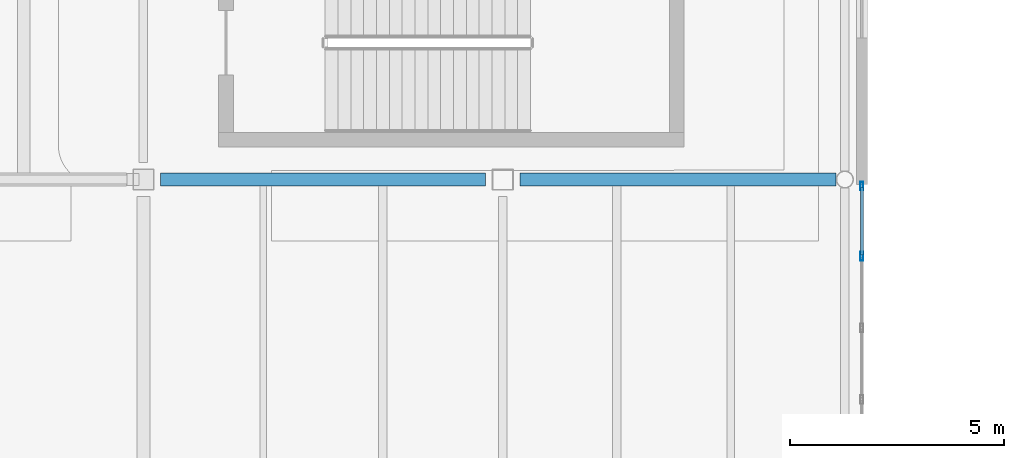
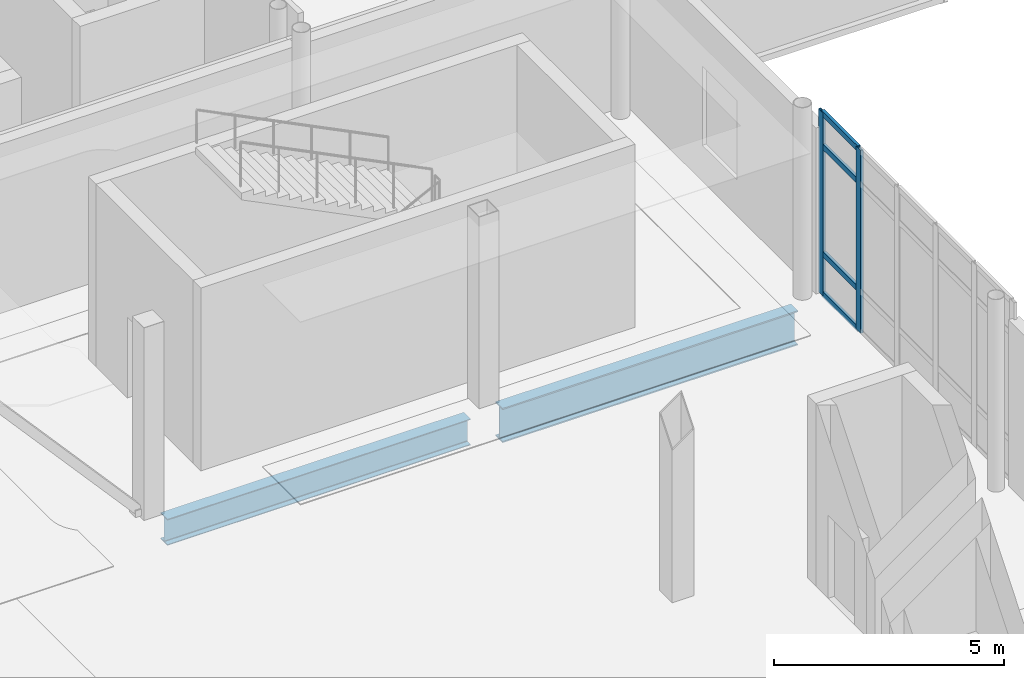
# One storey, part 46 of 104: 6 members, 2 beams, 1 element without a shape of its own.
"""IFC4 building model written with IfcOpenShell, lengths in metres."""

from ifc_helpers import new_model, si_unit, direction, frame, origin, origin_2d, place, context, subcontext, project, spatial, hollow_rectangle, i_section, extrude, material, layer, layer_set, material_profile, profile_set, type_object, element, aggregate, save


model = new_model("IFC4")

# Units and contexts
model_context = context("Model", 3, precision=1e-05, world=origin(), true_north=direction((0.0, 1.0)))
body_context = subcontext(model_context, "Body", "Model", "MODEL_VIEW")
ifc_project = project(units=[si_unit("LENGTHUNIT", "METRE"), si_unit("AREAUNIT", "SQUARE_METRE"), si_unit("VOLUMEUNIT", "CUBIC_METRE"), si_unit("PLANEANGLEUNIT", "RADIAN"), si_unit("MASSUNIT", "GRAM", prefix="KILO"), si_unit("THERMODYNAMICTEMPERATUREUNIT", "KELVIN")], contexts=[model_context])

# Site, building, storey
site_placement = place(None, origin())
site = spatial("IfcSite", under=ifc_project, at=site_placement, CompositionType="ELEMENT")
building_placement = place(site_placement, origin())
building = spatial("IfcBuilding", under=site, at=building_placement, Name="Lustrewick Department Store", CompositionType="ELEMENT")
storey_placement = place(building_placement, frame((0.0, 0.0, 11.39990234375)))
storey = spatial("IfcBuildingStorey", under=building, at=storey_placement, Name="L03", CompositionType="ELEMENT", Elevation=11.39990234375)

# Curtain wall, members
ifc_material_1 = material(Name="Thermally broken aluminium 6063-T5", Category="aluminium")
ifc_layer = layer(ifc_material_1, 0.199951171875, Name="Thermally broken aluminium 6063-T5")
ifc_layer_set = layer_set([ifc_layer], Name="Thermally broken aluminium 6063-T5")
curtain_wall_type = type_object("IfcCurtainWallType", Name="CW10", PredefinedType="NOTDEFINED", material=ifc_layer_set)
curtain_wall_placement = place(storey_placement, origin())
curtain_wall = element("IfcCurtainWall", 1, at=curtain_wall_placement, inside=storey, type_object=curtain_wall_type, Name="L03 V3 Curtain Wall CW10", PredefinedType="NOTDEFINED")
ifc_material_profile_1 = material_profile(ifc_material_1, hollow_rectangle(XDim=0.070068359375, YDim=0.199951171875, WallThickness=0.00390625, at=origin_2d()), Name="ALU-M 70x200x4")
ifc_profile_set_1 = profile_set([ifc_material_profile_1], Name="Thermally broken aluminium 6063-T5")
member_type_1 = type_object("IfcMemberType", Name="CW10-M1", PredefinedType="MULLION", material=ifc_profile_set_1)
member_1_placement = place(storey_placement, frame((151.199951171875, 40.2060546875, 0.0), z_axis=(0.0, 0.0, 1.0), x_axis=(-1.0, 0.0, 0.0)))
member_1 = element("IfcMember", 2, at=member_1_placement, type_object=member_type_1, Name="CW10 mullion 5", PredefinedType="MULLION", context=body_context, shape_type="SweptSolid", body=[
    extrude(hollow_rectangle(XDim=0.070068359375, YDim=0.199951171875, WallThickness=0.00390625, at=origin_2d()), origin(), (0.0, 0.0, 1.0), 4.84521484375),
])
member_2_placement = place(storey_placement, frame((151.199951171875, 41.844970703125, 0.0), z_axis=(0.0, 0.0, 1.0), x_axis=(-1.0, 0.0, 0.0)))
member_2 = element("IfcMember", 3, at=member_2_placement, type_object=member_type_1, Name="CW10 mullion 6", PredefinedType="MULLION", context=body_context, shape_type="SweptSolid", body=[
    extrude(hollow_rectangle(XDim=0.070068359375, YDim=0.199951171875, WallThickness=0.00390625, at=origin_2d()), origin(), (0.0, 0.0, 1.0), 4.84521484375),
])
ifc_material_profile_2 = material_profile(ifc_material_1, hollow_rectangle(XDim=0.070068359375, YDim=0.14990234375, WallThickness=0.00390625, at=origin_2d()), Name="ALU-T 70x150x4")
ifc_profile_set_2 = profile_set([ifc_material_profile_2], Name="Thermally broken aluminium 6063-T5")
member_type_2 = type_object("IfcMemberType", Name="CW10-T1", PredefinedType="USERDEFINED", material=ifc_profile_set_2)
member_3_placement = place(storey_placement, frame((151.199951171875, 40.240966796875, 0.03515625), z_axis=(0.0, 1.0, 0.0), x_axis=(-1.0, 0.0, 0.0)))
member_3 = element("IfcMember", 4, at=member_3_placement, type_object=member_type_2, Name="CW10 transom 5.1", ObjectType="TRANSOM", PredefinedType="USERDEFINED", context=body_context, shape_type="SweptSolid", body=[
    extrude(hollow_rectangle(XDim=0.070068359375, YDim=0.14990234375, WallThickness=0.00390625, at=origin_2d()), origin(), (0.0, 0.0, 1.0), 1.569091796875),
])
member_4_placement = place(storey_placement, frame((151.199951171875, 40.240966796875, 1.10009765625), z_axis=(0.0, 1.0, 0.0), x_axis=(-1.0, 0.0, 0.0)))
member_4 = element("IfcMember", 5, at=member_4_placement, type_object=member_type_2, Name="CW10 transom 5.2", ObjectType="TRANSOM", PredefinedType="USERDEFINED", context=body_context, shape_type="SweptSolid", body=[
    extrude(hollow_rectangle(XDim=0.070068359375, YDim=0.14990234375, WallThickness=0.00390625, at=origin_2d()), origin(), (0.0, 0.0, 1.0), 1.569091796875),
])
member_5_placement = place(storey_placement, frame((151.199951171875, 40.240966796875, 3.945068359375), z_axis=(0.0, 1.0, 0.0), x_axis=(-1.0, 0.0, 0.0)))
member_5 = element("IfcMember", 6, at=member_5_placement, type_object=member_type_2, Name="CW10 transom 5.3", ObjectType="TRANSOM", PredefinedType="USERDEFINED", context=body_context, shape_type="SweptSolid", body=[
    extrude(hollow_rectangle(XDim=0.070068359375, YDim=0.14990234375, WallThickness=0.00390625, at=origin_2d()), origin(), (0.0, 0.0, 1.0), 1.569091796875),
])
member_6_placement = place(storey_placement, frame((151.199951171875, 40.240966796875, 4.81005859375), z_axis=(0.0, 1.0, 0.0), x_axis=(-1.0, 0.0, 0.0)))
member_6 = element("IfcMember", 7, at=member_6_placement, type_object=member_type_2, Name="CW10 transom 5.4", ObjectType="TRANSOM", PredefinedType="USERDEFINED", context=body_context, shape_type="SweptSolid", body=[
    extrude(hollow_rectangle(XDim=0.070068359375, YDim=0.14990234375, WallThickness=0.00390625, at=origin_2d()), origin(), (0.0, 0.0, 1.0), 1.569091796875),
])
aggregate(curtain_wall, [member_1, member_2, member_3, member_4, member_5, member_6])

# Beams
ifc_material_2 = material(Name="Structural steel Q355C", Category="steel")
ifc_material_profile_3 = material_profile(ifc_material_2, i_section(OverallWidth=0.302001953125, OverallDepth=0.912109375, WebThickness=0.01806640625, FlangeThickness=0.033935546875, FilletRadius=0.02392578125, at=origin_2d()), Name="HN 912x302x18x34")
ifc_profile_set_3 = profile_set([ifc_material_profile_3], Name="Structural steel Q355C")
beam_type_1 = type_object("IfcBeamType", Name="G01", PredefinedType="BEAM", material=ifc_profile_set_3)
beam_1_placement = place(storey_placement, frame((143.199951171875, 42.0, -0.7109375), z_axis=(1.0, 0.0, 0.0), x_axis=(0.0, 1.0, 0.0)))
element("IfcBeam", 8, at=beam_1_placement, inside=storey, type_object=beam_type_1, Name="L03 V3 Girder G01", PredefinedType="BEAM", context=body_context, shape_type="SweptSolid", body=[
    extrude(i_section(OverallWidth=0.302001953125, OverallDepth=0.912109375, WebThickness=0.01806640625, FlangeThickness=0.033935546875, FilletRadius=0.02392578125, at=origin_2d()), origin(), (0.0, 0.0, 1.0), 7.39697265625),
])
ifc_material_3 = material(Name="Structural steel Q355B", Category="steel")
ifc_material_profile_4 = material_profile(ifc_material_3, i_section(OverallWidth=0.300048828125, OverallDepth=0.69189453125, WebThickness=0.012939453125, FlangeThickness=0.02001953125, FilletRadius=0.02001953125, at=origin_2d()), Name="HN 692x300x13x20")
ifc_profile_set_4 = profile_set([ifc_material_profile_4], Name="Structural steel Q355B")
beam_type_2 = type_object("IfcBeamType", Name="G09", PredefinedType="BEAM", material=ifc_profile_set_4)
beam_2_placement = place(storey_placement, frame((134.800048828125, 42.0, -0.600830078125), z_axis=(1.0, 0.0, 0.0), x_axis=(0.0, 1.0, 0.0)))
element("IfcBeam", 9, at=beam_2_placement, inside=storey, type_object=beam_type_2, Name="L03 V3 Girder G09", PredefinedType="BEAM", context=body_context, shape_type="SweptSolid", body=[
    extrude(i_section(OverallWidth=0.300048828125, OverallDepth=0.69189453125, WebThickness=0.012939453125, FlangeThickness=0.02001953125, FilletRadius=0.02001953125, at=origin_2d()), origin(), (0.0, 0.0, 1.0), 7.599853515625),
])

save(model, "model.ifc")
